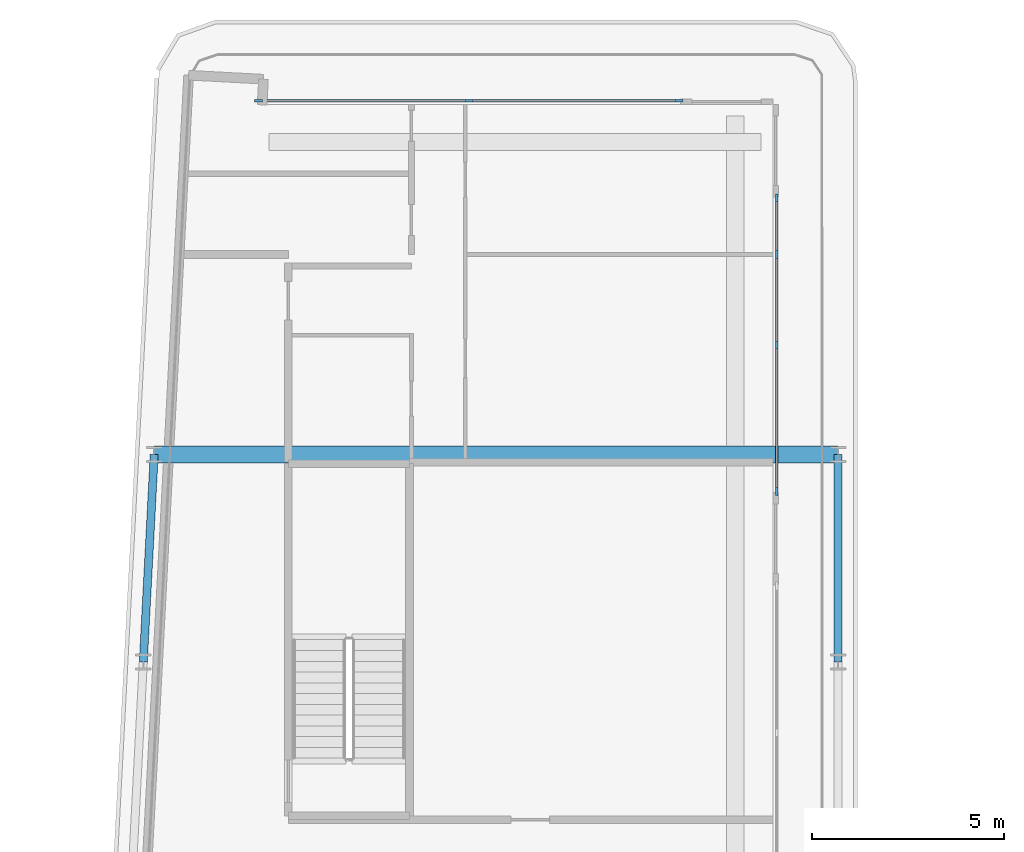
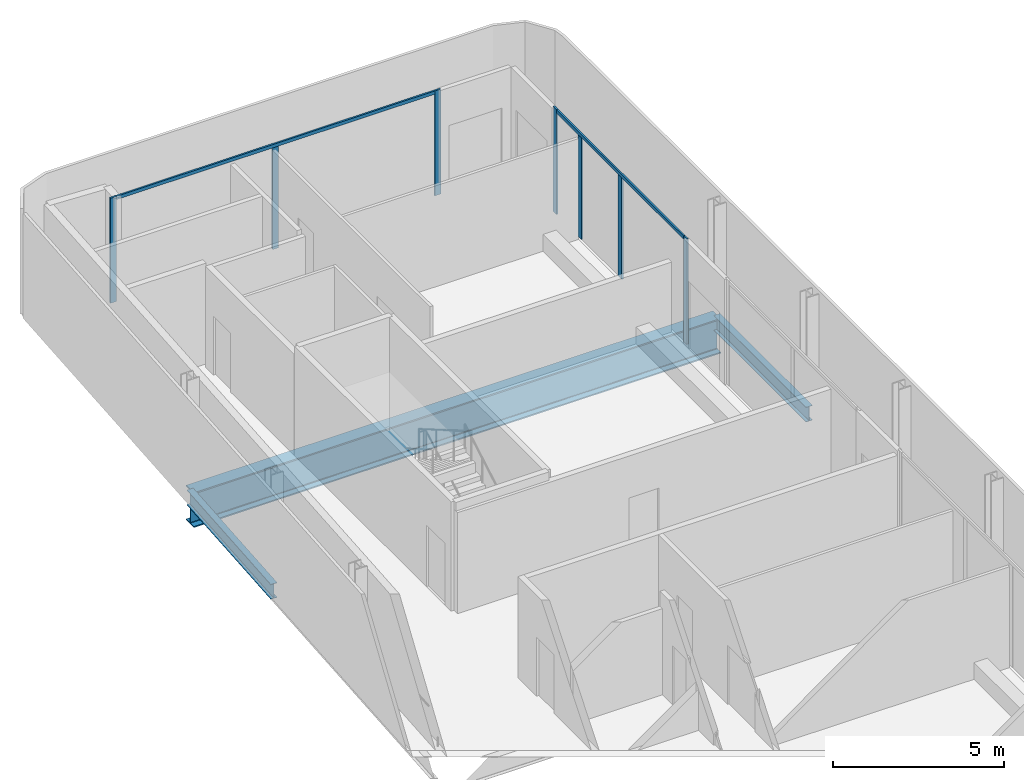
# One storey, part 7 of 23: 9 members, 3 beams, 2 elements without a shape of their own.
"""IFC4 building model written with IfcOpenShell, lengths in metres."""

from ifc_helpers import new_model, si_unit, direction, frame, origin, origin_2d, place, context, subcontext, project, spatial, rectangle, i_section, extrude, material, layer, layer_set, material_profile, profile_set, type_object, element, aggregate, save


model = new_model("IFC4")

# Units and contexts
model_context = context("Model", 3, precision=1e-05, world=origin(), true_north=direction((0.0, 1.0)))
body_context = subcontext(model_context, "Body", "Model", "MODEL_VIEW")
ifc_project = project(units=[si_unit("LENGTHUNIT", "METRE"), si_unit("AREAUNIT", "SQUARE_METRE"), si_unit("VOLUMEUNIT", "CUBIC_METRE"), si_unit("PLANEANGLEUNIT", "RADIAN"), si_unit("MASSUNIT", "GRAM", prefix="KILO")], contexts=[model_context])

# Site, building, storey
site_placement = place(None, origin())
site = spatial("IfcSite", under=ifc_project, at=site_placement, CompositionType="ELEMENT")
building_placement = place(site_placement, origin())
building = spatial("IfcBuilding", under=site, at=building_placement, Name="Kheshtan School and Residences Tower", CompositionType="ELEMENT")
storey_placement = place(building_placement, frame((0.0, 0.0, 239.60009765625)))
storey = spatial("IfcBuildingStorey", under=building, at=storey_placement, Name="L56", CompositionType="ELEMENT", Elevation=239.60009765625)

# Beams
ifc_material_1 = material(Name="Steel ASTM A992 Grade 50", Category="steel")
ifc_material_profile_1 = material_profile(ifc_material_1, i_section(OverallWidth=0.208984375, OverallDepth=0.532958984375, WebThickness=0.01025390625, FlangeThickness=0.015625, FilletRadius=0.013916015625, at=origin_2d()), Name="W530x92")
ifc_profile_set_1 = profile_set([ifc_material_profile_1], Name="Steel ASTM A992 Grade 50")
beam_type_1 = type_object("IfcBeamType", Name="Beam SP3 W530x92 ASTM A992 Grade 50", PredefinedType="BEAM", material=ifc_profile_set_1)
beam_1_placement = place(storey_placement, frame((47.60009765625, 88.800048828125, -0.41650390625), z_axis=(0.0, -1.0, 0.0), x_axis=(1.0, 0.0, 0.0)))
element("IfcBeam", 1, at=beam_1_placement, inside=storey, type_object=beam_type_1, Name="Spandrel beam C099-C091", PredefinedType="BEAM", context=body_context, shape_type="SweptSolid", body=[
    extrude(i_section(OverallWidth=0.208984375, OverallDepth=0.532958984375, WebThickness=0.01025390625, FlangeThickness=0.015625, FilletRadius=0.013916015625, at=origin_2d()), origin(), (0.0, 0.0, 1.0), 5.400146484375),
])
beam_2_placement = place(storey_placement, frame((29.527099609375, 83.39990234375, -0.41650390625), z_axis=(0.05250670125, 0.998620571751, 0.0), x_axis=(-0.998620571751, 0.05250670125, 0.0)))
element("IfcBeam", 2, at=beam_2_placement, inside=storey, type_object=beam_type_1, Name="Spandrel beam C090-C098", PredefinedType="BEAM", context=body_context, shape_type="SweptSolid", body=[
    extrude(i_section(OverallWidth=0.208984375, OverallDepth=0.532958984375, WebThickness=0.01025390625, FlangeThickness=0.015625, FilletRadius=0.013916015625, at=origin_2d()), origin(), (0.0, 0.0, 1.0), 5.40771484375),
])

# Curtain wall, members
ifc_material_2 = material(Name="Clear low-e glass in thermally broken aluminium frame", Category="aluminium")
ifc_layer = layer(ifc_material_2, 0.199951171875)
ifc_layer_set = layer_set([ifc_layer], Name="Curtain wall CW-L")
curtain_wall_type = type_object("IfcCurtainWallType", Name="Curtain wall CW-L", PredefinedType="NOTDEFINED", material=ifc_layer_set)
curtain_wall_1_placement = place(storey_placement, origin())
curtain_wall_1 = element("IfcCurtainWall", 3, at=curtain_wall_1_placement, inside=storey, type_object=curtain_wall_type, Name="Curtain wall CWL7", PredefinedType="NOTDEFINED")
ifc_material_3 = material(Name="Thermally broken aluminium, dark bronze anodised", Category="aluminium")
ifc_material_profile_2 = material_profile(ifc_material_3, rectangle(XDim=0.06005859375, YDim=0.199951171875, at=origin_2d()), Name="CW-L mullion 60x200")
ifc_profile_set_2 = profile_set([ifc_material_profile_2], Name="Thermally broken aluminium, dark bronze anodised")
member_type_1 = type_object("IfcMemberType", Name="CW-L mullion 60x200", PredefinedType="MULLION", material=ifc_profile_set_2)
member_1_placement = place(storey_placement, frame((32.52197265625, 98.0, 0.0), z_axis=(0.0, 0.0, 1.0), x_axis=(0.0, 1.0, 0.0)))
member_1 = element("IfcMember", 4, at=member_1_placement, type_object=member_type_1, Name="CWL7 mullion 1", PredefinedType="MULLION", context=body_context, shape_type="SweptSolid", body=[
    extrude(rectangle(XDim=0.06005859375, YDim=0.199951171875, at=origin_2d()), origin(), (0.0, 0.0, 1.0), 3.75),
])
member_2_placement = place(storey_placement, frame((37.99609375, 98.0, 0.0), z_axis=(0.0, 0.0, 1.0), x_axis=(0.0, 1.0, 0.0)))
member_2 = element("IfcMember", 5, at=member_2_placement, type_object=member_type_1, Name="CWL7 mullion 2", PredefinedType="MULLION", context=body_context, shape_type="SweptSolid", body=[
    extrude(rectangle(XDim=0.06005859375, YDim=0.199951171875, at=origin_2d()), origin(), (0.0, 0.0, 1.0), 3.6298828125),
])
member_3_placement = place(storey_placement, frame((43.469970703125, 98.0, 0.0), z_axis=(0.0, 0.0, 1.0), x_axis=(0.0, 1.0, 0.0)))
member_3 = element("IfcMember", 6, at=member_3_placement, type_object=member_type_1, Name="CWL7 mullion 3", PredefinedType="MULLION", context=body_context, shape_type="SweptSolid", body=[
    extrude(rectangle(XDim=0.06005859375, YDim=0.199951171875, at=origin_2d()), origin(), (0.0, 0.0, 1.0), 3.75),
])

curtain_wall_2_placement = place(storey_placement, origin())
curtain_wall_2 = element("IfcCurtainWall", 7, at=curtain_wall_2_placement, inside=storey, type_object=curtain_wall_type, Name="Curtain wall CWL8c", PredefinedType="NOTDEFINED")
member_4_placement = place(storey_placement, frame((46.0, 95.469970703125, 0.0), z_axis=(0.0, 0.0, 1.0), x_axis=(1.0, 0.0, 0.0)))
member_4 = element("IfcMember", 8, at=member_4_placement, type_object=member_type_1, Name="CWL8c mullion 1", PredefinedType="MULLION", context=body_context, shape_type="SweptSolid", body=[
    extrude(rectangle(XDim=0.06005859375, YDim=0.199951171875, at=origin_2d()), origin(), (0.0, 0.0, 1.0), 3.75),
])
member_5_placement = place(storey_placement, frame((46.0, 94.0, 0.0), z_axis=(0.0, 0.0, 1.0), x_axis=(1.0, 0.0, 0.0)))
member_5 = element("IfcMember", 9, at=member_5_placement, type_object=member_type_1, Name="CWL8c mullion 2", PredefinedType="MULLION", context=body_context, shape_type="SweptSolid", body=[
    extrude(rectangle(XDim=0.06005859375, YDim=0.199951171875, at=origin_2d()), origin(), (0.0, 0.0, 1.0), 3.6298828125),
])
member_6_placement = place(storey_placement, frame((46.0, 91.653076171875, 0.0), z_axis=(0.0, 0.0, 1.0), x_axis=(1.0, 0.0, 0.0)))
member_6 = element("IfcMember", 10, at=member_6_placement, type_object=member_type_1, Name="CWL8c mullion 3", PredefinedType="MULLION", context=body_context, shape_type="SweptSolid", body=[
    extrude(rectangle(XDim=0.06005859375, YDim=0.199951171875, at=origin_2d()), origin(), (0.0, 0.0, 1.0), 3.6298828125),
])
member_7_placement = place(storey_placement, frame((46.0, 87.8359375, 0.0), z_axis=(0.0, 0.0, 1.0), x_axis=(1.0, 0.0, 0.0)))
member_7 = element("IfcMember", 11, at=member_7_placement, type_object=member_type_1, Name="CWL8c mullion 4", PredefinedType="MULLION", context=body_context, shape_type="SweptSolid", body=[
    extrude(rectangle(XDim=0.06005859375, YDim=0.199951171875, at=origin_2d()), origin(), (0.0, 0.0, 1.0), 3.75),
])

# Member
ifc_material_profile_3 = material_profile(ifc_material_3, rectangle(XDim=0.06005859375, YDim=0.1201171875, at=origin_2d()), Name="CW-L transom 60x120")
ifc_profile_set_3 = profile_set([ifc_material_profile_3], Name="Thermally broken aluminium, dark bronze anodised")
member_type_2 = type_object("IfcMemberType", Name="CW-L transom 60x120", PredefinedType="USERDEFINED", material=ifc_profile_set_3)
member_8_placement = place(storey_placement, frame((32.552001953125, 98.0, 3.68994140625), z_axis=(1.0, 0.0, 0.0), x_axis=(0.0, 1.0, 0.0)))
member_8 = element("IfcMember", 12, at=member_8_placement, type_object=member_type_2, Name="CWL7 transom 1", ObjectType="TRANSOM", PredefinedType="USERDEFINED", context=body_context, shape_type="SweptSolid", body=[
    extrude(rectangle(XDim=0.06005859375, YDim=0.1201171875, at=origin_2d()), origin(), (0.0, 0.0, 1.0), 10.887939453125),
])

aggregate(curtain_wall_1, [member_1, member_2, member_3, member_8])

member_9_placement = place(storey_placement, frame((46.0, 95.43994140625, 3.68994140625), z_axis=(0.0, -1.0, 0.0), x_axis=(1.0, 0.0, 0.0)))
member_9 = element("IfcMember", 13, at=member_9_placement, type_object=member_type_2, Name="CWL8c transom 1", ObjectType="TRANSOM", PredefinedType="USERDEFINED", context=body_context, shape_type="SweptSolid", body=[
    extrude(rectangle(XDim=0.06005859375, YDim=0.1201171875, at=origin_2d()), origin(), (0.0, 0.0, 1.0), 7.573974609375),
])

aggregate(curtain_wall_2, [member_4, member_5, member_6, member_7, member_9])

# Beam
ifc_material_profile_4 = material_profile(ifc_material_1, i_section(OverallWidth=0.449951171875, OverallDepth=1.25, WebThickness=0.02490234375, FlangeThickness=0.044921875, FilletRadius=0.03759765625, at=origin_2d()), Name="WWF1250x546")
ifc_profile_set_4 = profile_set([ifc_material_profile_4], Name="Steel ASTM A992 Grade 50")
beam_type_2 = type_object("IfcBeamType", Name="Transfer girder TG4 WWF1250x546 ASTM A992 Grade 50", PredefinedType="BEAM", material=ifc_profile_set_4)
beam_3_placement = place(storey_placement, frame((29.81103515625, 88.800048828125, -0.775146484375), z_axis=(1.0, 0.0, 0.0), x_axis=(0.0, 1.0, 0.0)))
element("IfcBeam", 14, at=beam_3_placement, inside=storey, type_object=beam_type_2, Name="Transfer girder C098-C099", PredefinedType="BEAM", context=body_context, shape_type="SweptSolid", body=[
    extrude(i_section(OverallWidth=0.449951171875, OverallDepth=1.25, WebThickness=0.02490234375, FlangeThickness=0.044921875, FilletRadius=0.03759765625, at=origin_2d()), origin(), (0.0, 0.0, 1.0), 17.7890625),
])

save(model, "model.ifc")
